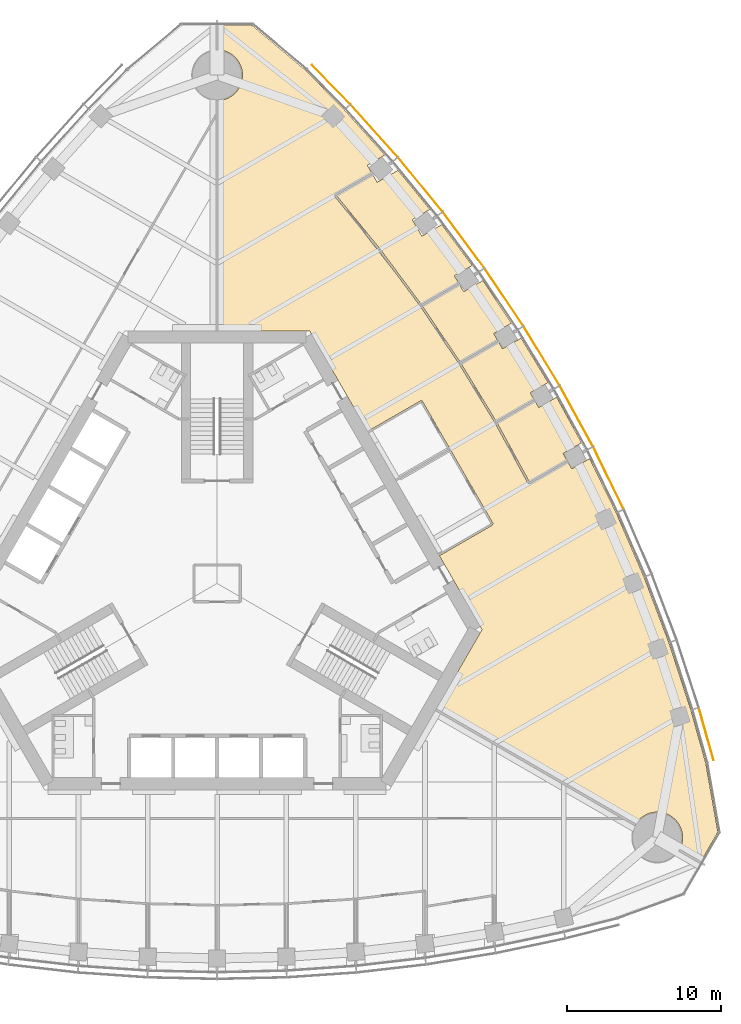
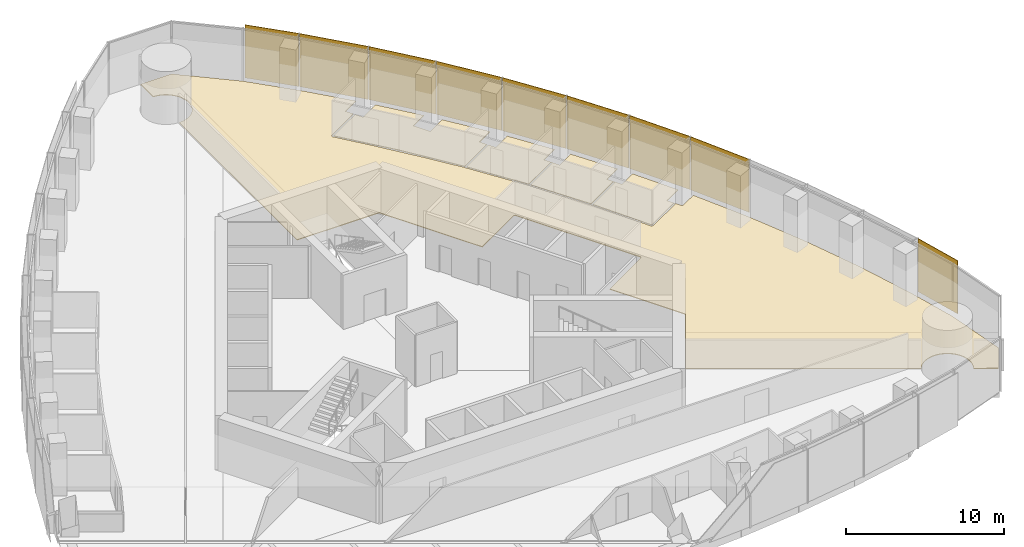
# One storey, part 18 of 20: 9 shading devices, 5 coverings.
"""IFC4 building model written with IfcOpenShell, lengths in metres."""

from ifc_helpers import new_model, si_unit, direction, frame, origin, origin_2d, place, context, subcontext, project, spatial, polyline, rectangle, outline, extrude, material, layer, layer_set, type_object, element, save


model = new_model("IFC4")

# Units and contexts
model_context = context("Model", 3, precision=1e-05, world=origin(), true_north=direction((0.0, 1.0)))
body_context = subcontext(model_context, "Body", "Model", "MODEL_VIEW")
ifc_project = project(units=[si_unit("LENGTHUNIT", "METRE"), si_unit("AREAUNIT", "SQUARE_METRE"), si_unit("VOLUMEUNIT", "CUBIC_METRE"), si_unit("PLANEANGLEUNIT", "RADIAN"), si_unit("MASSUNIT", "GRAM", prefix="KILO")], contexts=[model_context])

# Site, building, storey
site_placement = place(None, origin())
site = spatial("IfcSite", under=ifc_project, at=site_placement, CompositionType="ELEMENT")
building_placement = place(site_placement, origin())
building = spatial("IfcBuilding", under=site, at=building_placement, Name="Trefoil Bronze Tower", CompositionType="ELEMENT")
storey_placement = place(building_placement, frame((0.0, 0.0, 219.10009765625)))
storey = spatial("IfcBuildingStorey", under=building, at=storey_placement, Name="L50", CompositionType="ELEMENT", Elevation=219.10009765625)

# Shading devices
ifc_material_1 = material(Name="Perforated bronze sheet", Category="bronze")
ifc_layer_1 = layer(ifc_material_1, 0.0400390625)
ifc_layer_set_1 = layer_set([ifc_layer_1], Name="Bronze solar screen panel")
shading_device_type = type_object("IfcShadingDeviceType", Name="Bronze solar screen panel", PredefinedType="SHUTTER", material=ifc_layer_set_1)
shading_device_1_placement = place(storey_placement, frame((31.764892578125, -9.7890625, 0.0498046875), z_axis=(0.0, 0.0, 1.0), x_axis=(-0.270282222968, 0.962781138134, 0.0)))
element("IfcShadingDevice", 1, at=shading_device_1_placement, inside=storey, type_object=shading_device_type, Name="Solar screen CW-A L50 F2 bay 1", PredefinedType="SHUTTER", context=body_context, shape_type="SweptSolid", body=[
    extrude(rectangle(XDim=3.53369140625, YDim=0.0400390625, at=origin_2d()), origin(), (0.0, 0.0, 1.0), 4.10009765625),
])
shading_device_2_placement = place(storey_placement, frame((25.4169921875, 6.83740234375, 0.0498046875), z_axis=(0.0, 0.0, 1.0), x_axis=(-0.439129033334, 0.898424004623, 0.0)))
element("IfcShadingDevice", 2, at=shading_device_2_placement, inside=storey, type_object=shading_device_type, Name="Solar screen CW-A L50 F2 bay 5", PredefinedType="SHUTTER", context=body_context, shape_type="SweptSolid", body=[
    extrude(rectangle(XDim=4.480712890625, YDim=0.0400390625, at=origin_2d()), origin(), (0.0, 0.0, 1.0), 4.10009765625),
])
for number, where, z_axis, x_axis, name in (
    (3, (23.3349609375, 10.860107421875, 0.0498046875), (0.0, 0.0, 1.0), (-0.479974003504, 0.877282711536, 0.0), "Solar screen CW-A L50 F2 bay 6"),
    (4, (21.07275390625, 14.77880859375, 0.0498046875), (0.0, 0.0, 1.0), (-0.519762112739, 0.854311035959, 0.0), "Solar screen CW-A L50 F2 bay 7"),
):
    element("IfcShadingDevice", number, at=place(storey_placement, frame(where, z_axis=z_axis, x_axis=x_axis)), inside=storey, type_object=shading_device_type, Name=name, PredefinedType="SHUTTER", context=body_context, shape_type="SweptSolid", body=[
        extrude(rectangle(XDim=4.47119140625, YDim=0.0400390625, at=origin_2d()), origin(), (0.0, 0.0, 1.0), 4.10009765625),
    ])
shading_device_3_placement = place(storey_placement, frame((18.6298828125, 18.59326171875, 0.0498046875), z_axis=(0.0, 0.0, 1.0), x_axis=(-0.558493494706, 0.829508900718, 0.0)))
element("IfcShadingDevice", 5, at=shading_device_3_placement, inside=storey, type_object=shading_device_type, Name="Solar screen CW-A L50 F2 bay 8", PredefinedType="SHUTTER", context=body_context, shape_type="SweptSolid", body=[
    extrude(rectangle(XDim=4.480712890625, YDim=0.0400390625, at=origin_2d()), origin(), (0.0, 0.0, 1.0), 4.10009765625),
])
shading_device_4_placement = place(storey_placement, frame((16.005615234375, 22.302734375, 0.0498046875), z_axis=(0.0, 0.0, 1.0), x_axis=(-0.596161525977, 0.802864518425, 0.0)))
element("IfcShadingDevice", 6, at=shading_device_4_placement, inside=storey, type_object=shading_device_type, Name="Solar screen CW-A L50 F2 bay 9", PredefinedType="SHUTTER", context=body_context, shape_type="SweptSolid", body=[
    extrude(rectangle(XDim=4.5, YDim=0.0400390625, at=origin_2d()), origin(), (0.0, 0.0, 1.0), 4.10009765625),
])
shading_device_5_placement = place(storey_placement, frame((13.197509765625, 25.90625, 0.0498046875), z_axis=(0.0, 0.0, 1.0), x_axis=(-0.63275261301, 0.774354008661, 0.0)))
element("IfcShadingDevice", 7, at=shading_device_5_placement, inside=storey, type_object=shading_device_type, Name="Solar screen CW-A L50 F2 bay 10", PredefinedType="SHUTTER", context=body_context, shape_type="SweptSolid", body=[
    extrude(rectangle(XDim=4.529296875, YDim=0.0400390625, at=origin_2d()), origin(), (0.0, 0.0, 1.0), 4.10009765625),
])
shading_device_6_placement = place(storey_placement, frame((10.20166015625, 29.401611328125, 0.0498046875), z_axis=(0.0, 0.0, 1.0), x_axis=(-0.668245744076, 0.743940606181, 0.0)))
element("IfcShadingDevice", 8, at=shading_device_6_placement, inside=storey, type_object=shading_device_type, Name="Solar screen CW-A L50 F2 bay 11", PredefinedType="SHUTTER", context=body_context, shape_type="SweptSolid", body=[
    extrude(rectangle(XDim=4.5693359375, YDim=0.0400390625, at=origin_2d()), origin(), (0.0, 0.0, 1.0), 4.10009765625),
])
shading_device_7_placement = place(storey_placement, frame((7.40478515625, 32.40380859375, 0.0498046875), z_axis=(0.0, 0.0, 1.0), x_axis=(-0.698651812425, 0.715461840349, 0.0)))
element("IfcShadingDevice", 9, at=shading_device_7_placement, inside=storey, type_object=shading_device_type, Name="Solar screen CW-A L50 F2 bay 12", PredefinedType="SHUTTER", context=body_context, shape_type="SweptSolid", body=[
    extrude(rectangle(XDim=3.53369140625, YDim=0.0400390625, at=origin_2d()), origin(), (0.0, 0.0, 1.0), 4.10009765625),
])

# Coverings
ifc_material_2 = material(Name="Raised access floor panels", Category="steel")
ifc_layer_2 = layer(ifc_material_2, 0.050048828125)
ifc_layer_set_2 = layer_set([ifc_layer_2], Name="Raised access floor 150")
covering_type = type_object("IfcCoveringType", Name="Raised access floor 150", PredefinedType="FLOORING", material=ifc_layer_set_2)
covering_1_placement = place(storey_placement, frame((0.0, 0.0, 0.099853515625)))
element("IfcCovering", 10, at=covering_1_placement, inside=storey, type_object=covering_type, Name="Raised floor L50 Kitchen and breakout F2", PredefinedType="FLOORING", context=body_context, shape_type="SweptSolid", body=[
    extrude(outline(polyline([(16.562744140625, 20.646728515625), (15.407958984375, 19.97998046875), (15.677490234375, 19.512939453125), (13.258056640625, 18.1162109375), (10.58935546875, 21.710205078125), (10.541015625, 21.67431640625), (10.587646484375, 21.71240234375), (7.747314453125, 25.188232421875), (10.105224609375, 26.549560546875), (10.396728515625, 26.044921875), (11.7490234375, 26.825439453125), (13.8232421875, 24.287109375), (12.673095703125, 23.623046875), (13.294677734375, 22.54638671875), (14.5947265625, 23.296875), (16.562744140625, 20.646728515625)])), origin(), (0.0, 0.0, 1.0), 0.050048828125),
])
covering_2_placement = place(storey_placement, frame((0.0, 0.0, 0.099853515625)))
element("IfcCovering", 11, at=covering_2_placement, inside=storey, type_object=covering_type, Name="Raised floor L50 Office F2", PredefinedType="FLOORING", context=body_context, shape_type="SweptSolid", body=[
    extrude(outline(polyline([(19.119140625, 16.8994140625), (17.96142578125, 16.23095703125), (18.24951171875, 15.732421875), (18.2451171875, 15.72998046875), (18.215087890625, 15.781982421875), (15.779296875, 14.375732421875), (13.327392578125, 18.017578125), (15.737548828125, 19.4091796875), (16.007080078125, 18.94189453125), (17.2578125, 19.6640625), (19.119140625, 16.8994140625)])), origin(), (0.0, 0.0, 1.0), 0.050048828125),
])
covering_3_placement = place(storey_placement, frame((0.0, 0.0, 0.099853515625)))
element("IfcCovering", 12, at=covering_3_placement, inside=storey, type_object=covering_type, Name="Raised floor L50 Office F2", PredefinedType="FLOORING", context=body_context, shape_type="SweptSolid", body=[
    extrude(outline(polyline([(20.5859375, 11.88525390625), (20.555908203125, 11.937255859375), (18.121337890625, 10.531494140625), (15.843994140625, 14.2744140625), (18.275146484375, 15.677978515625), (18.2451171875, 15.72998046875), (18.24951171875, 15.732421875), (18.537353515625, 15.23388671875), (19.740966796875, 15.9287109375), (21.49462890625, 13.046142578125), (20.335693359375, 12.376953125), (20.611083984375, 11.89990234375), (20.5859375, 11.88525390625)])), origin(), (0.0, 0.0, 1.0), 0.050048828125),
])
covering_4_placement = place(storey_placement, frame((0.0, 0.0, 0.099853515625)))
element("IfcCovering", 13, at=covering_4_placement, inside=storey, type_object=covering_type, Name="Raised floor L50 Office F2", PredefinedType="FLOORING", context=body_context, shape_type="SweptSolid", body=[
    extrude(outline(polyline([(22.7451171875, 7.935791015625), (22.715087890625, 7.98779296875), (20.2841796875, 6.584228515625), (18.181396484375, 10.427734375), (20.615966796875, 11.83349609375), (20.5859375, 11.88525390625), (20.611083984375, 11.89990234375), (20.88671875, 11.422607421875), (22.045654296875, 12.091796875), (23.6650390625, 9.131591796875), (22.46142578125, 8.436767578125), (22.74951171875, 7.938232421875), (22.7451171875, 7.935791015625)])), origin(), (0.0, 0.0, 1.0), 0.050048828125),
])
covering_5_placement = place(storey_placement, frame((0.0, 0.0, 0.099853515625)))
element("IfcCovering", 14, at=covering_5_placement, inside=storey, type_object=covering_type, Name="Raised floor L50 Open-plan office F2", PredefinedType="FLOORING", context=body_context, shape_type="SweptSolid", body=[
    extrude(outline(polyline([(5.7734375, 33.30126953125), (8.26318359375, 30.751708984375), (10.897705078125, 27.81884765625), (9.75390625, 27.158203125), (10.045166015625, 26.653564453125), (7.626220703125, 25.2568359375), (7.65625, 25.204833984375), (7.609619140625, 25.1669921875), (9.25146484375, 23.15771484375), (11.65673828125, 20.0712890625), (13.192626953125, 18.002685546875), (15.71044921875, 14.263427734375), (18.048583984375, 10.42041015625), (20.208251953125, 6.47265625), (20.260986328125, 6.50146484375), (20.291015625, 6.449462890625), (22.775146484375, 7.8837890625), (22.7451171875, 7.935791015625), (22.74951171875, 7.938232421875), (23.037353515625, 7.439697265625), (24.195068359375, 8.10791015625), (25.92236328125, 4.573974609375), (27.7216796875, 0.416748046875), (29.3369140625, -3.846923828125), (30.76318359375, -8.219482421875), (31.7265625, -11.650634765625), (32.518310546875, -16.1416015625), (31.385009765625, -18.1044921875), (30.013916015625, -17.3134765625), (30.033935546875, -17.27783203125), (30.0703125, -17.20556640625), (30.103271484375, -17.13134765625), (30.13232421875, -17.055908203125), (30.15771484375, -16.97900390625), (30.179443359375, -16.90087890625), (30.197021484375, -16.822021484375), (30.2109375, -16.7421875), (30.220947265625, -16.66162109375), (30.226806640625, -16.5810546875), (30.228759765625, -16.5), (30.226806640625, -16.4189453125), (30.220947265625, -16.33837890625), (30.2109375, -16.2578125), (30.197021484375, -16.177978515625), (30.179443359375, -16.09912109375), (30.15771484375, -16.02099609375), (30.13232421875, -15.944091796875), (30.103271484375, -15.86865234375), (30.0703125, -15.79443359375), (30.033935546875, -15.72216796875), (29.994140625, -15.651611328125), (29.95068359375, -15.583251953125), (29.904052734375, -15.51708984375), (29.854248046875, -15.453369140625), (29.801513671875, -15.391845703125), (29.74560546875, -15.333251953125), (29.68701171875, -15.27734375), (29.62548828125, -15.224609375), (29.561767578125, -15.1748046875), (29.49560546875, -15.128173828125), (29.427001953125, -15.084716796875), (29.356689453125, -15.044921875), (29.2841796875, -15.00830078125), (29.210205078125, -14.9755859375), (29.134765625, -14.946533203125), (29.057861328125, -14.9208984375), (28.979736328125, -14.8994140625), (28.900634765625, -14.881591796875), (28.82080078125, -14.867919921875), (28.740478515625, -14.85791015625), (28.659912109375, -14.85205078125), (28.578857421875, -14.85009765625), (28.497802734375, -14.85205078125), (28.4169921875, -14.85791015625), (28.336669921875, -14.867919921875), (28.2568359375, -14.881591796875), (28.177978515625, -14.8994140625), (28.099853515625, -14.9208984375), (28.02294921875, -14.946533203125), (27.947509765625, -14.9755859375), (27.873291015625, -15.00830078125), (27.801025390625, -15.044921875), (27.730712890625, -15.084716796875), (27.662109375, -15.128173828125), (27.595947265625, -15.1748046875), (27.531982421875, -15.224609375), (27.470703125, -15.27734375), (27.412109375, -15.333251953125), (27.356201171875, -15.391845703125), (27.303466796875, -15.453369140625), (27.25341796875, -15.51708984375), (27.206787109375, -15.583251953125), (27.156005859375, -15.6650390625), (14.205810546875, -8.194580078125), (17.205078125, -3.0), (14.434814453125, 1.79833984375), (17.898681640625, 3.79833984375), (17.868896484375, 3.850341796875), (17.9208984375, 3.88037109375), (13.32080078125, 11.84765625), (13.268798828125, 11.817626953125), (13.23876953125, 11.86962890625), (9.774658203125, 9.86962890625), (6.00439453125, 16.39990234375), (0.006103515625, 16.39990234375), (0.01171875, 31.350341796875), (0.0810546875, 31.35205078125), (0.16162109375, 31.35791015625), (0.2421875, 31.367919921875), (0.322021484375, 31.381591796875), (0.40087890625, 31.3994140625), (0.47900390625, 31.4208984375), (0.555908203125, 31.446533203125), (0.63134765625, 31.4755859375), (0.70556640625, 31.50830078125), (0.77783203125, 31.544921875), (0.848388671875, 31.584716796875), (0.916748046875, 31.628173828125), (0.98291015625, 31.6748046875), (1.046630859375, 31.724609375), (1.108154296875, 31.77734375), (1.166748046875, 31.833251953125), (1.22265625, 31.891845703125), (1.275390625, 31.953369140625), (1.3251953125, 32.01708984375), (1.371826171875, 32.083251953125), (1.415283203125, 32.151611328125), (1.455078125, 32.22216796875), (1.49169921875, 32.29443359375), (1.5244140625, 32.36865234375), (1.553466796875, 32.444091796875), (1.5791015625, 32.52099609375), (1.6005859375, 32.59912109375), (1.618408203125, 32.677978515625), (1.632080078125, 32.7578125), (1.64208984375, 32.83837890625), (1.64794921875, 32.9189453125), (1.64990234375, 33.0), (1.64794921875, 33.0810546875), (1.64208984375, 33.16162109375), (1.632080078125, 33.2421875), (1.618408203125, 33.322021484375), (1.6005859375, 33.40087890625), (1.5791015625, 33.47900390625), (1.553466796875, 33.555908203125), (1.5244140625, 33.63134765625), (1.49169921875, 33.70556640625), (1.455078125, 33.77783203125), (1.415283203125, 33.848388671875), (1.371826171875, 33.916748046875), (1.3251953125, 33.98291015625), (1.275390625, 34.046630859375), (1.22265625, 34.108154296875), (1.166748046875, 34.166748046875), (1.108154296875, 34.22265625), (1.046630859375, 34.275390625), (0.98291015625, 34.3251953125), (0.916748046875, 34.371826171875), (0.848388671875, 34.415283203125), (0.77783203125, 34.455078125), (0.70556640625, 34.49169921875), (0.63134765625, 34.5244140625), (0.555908203125, 34.553466796875), (0.47900390625, 34.5791015625), (0.40087890625, 34.6005859375), (0.322021484375, 34.618408203125), (0.2421875, 34.632080078125), (0.16162109375, 34.64208984375), (0.0810546875, 34.64794921875), (0.012939453125, 34.649658203125), (0.013671875, 36.232666015625), (2.280029296875, 36.232666015625), (5.7734375, 33.30126953125)])), origin(), (0.0, 0.0, 1.0), 0.050048828125),
])

save(model, "model.ifc")
